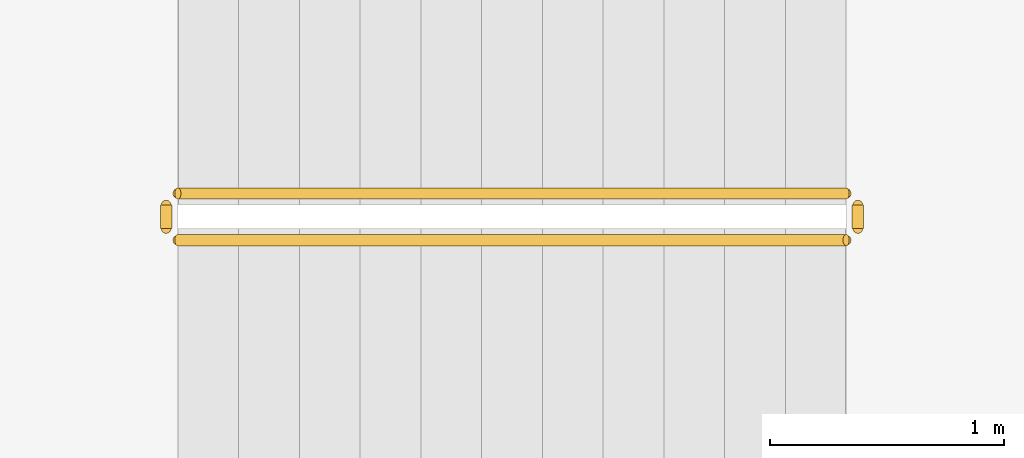
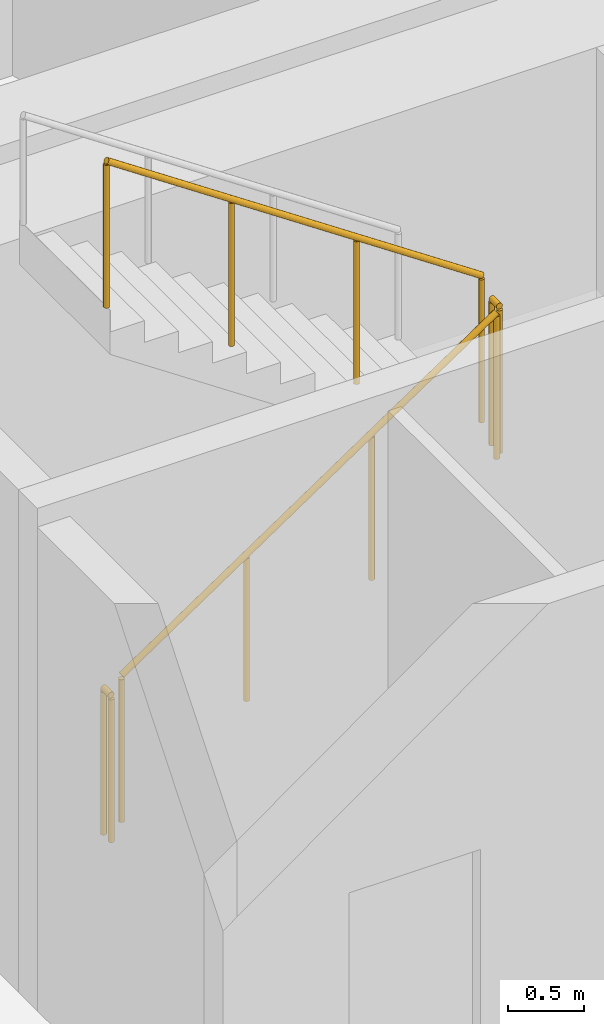
# One storey, part 22 of 26: 4 railings.
"""IFC4 building model written with IfcOpenShell, lengths in metres."""

from ifc_helpers import new_model, si_unit, direction, frame, origin, origin_2d, place, context, subcontext, project, spatial, circle, extrude, material, type_object, element, save


model = new_model("IFC4")

# Units and contexts
model_context = context("Model", 3, precision=1e-05, world=origin(), true_north=direction((0.0, 1.0)))
body_context = subcontext(model_context, "Body", "Model", "MODEL_VIEW")
ifc_project = project(units=[si_unit("LENGTHUNIT", "METRE"), si_unit("AREAUNIT", "SQUARE_METRE"), si_unit("VOLUMEUNIT", "CUBIC_METRE"), si_unit("PLANEANGLEUNIT", "RADIAN"), si_unit("MASSUNIT", "GRAM", prefix="KILO")], contexts=[model_context])

# Site, building, storey
site_placement = place(None, origin())
site = spatial("IfcSite", under=ifc_project, at=site_placement, CompositionType="ELEMENT")
building_placement = place(site_placement, origin())
building = spatial("IfcBuilding", under=site, at=building_placement, Name="Sahrelin Media Tower", CompositionType="ELEMENT")
storey_placement = place(building_placement, frame((0.0, 0.0, 88.199951171875)))
storey = spatial("IfcBuildingStorey", under=building, at=storey_placement, Name="L16", CompositionType="ELEMENT", Elevation=88.199951171875)

# Railings
ifc_material = material(Name="Steel S355", Category="steel")
railing_type = type_object("IfcRailingType", Name="Stair guard 1200", PredefinedType="GUARDRAIL", material=ifc_material)
railing_1_placement = place(storey_placement, frame((-7.675048828125, 5.25, 0.175048828125)))
element("IfcRailing", 1, at=railing_1_placement, inside=storey, type_object=railing_type, Name="L16 ST1 stair guard 1", PredefinedType="GUARDRAIL", context=body_context, shape_type="SweptSolid", body=[
    extrude(circle(Radius=0.02392578125, at=origin_2d()), frame((0.0, 0.0, 1.17578125), z_axis=(0.829590901723, 0.0, 0.558371682465), x_axis=(0.0, 1.0, 0.0)), (0.0, 0.0, 1.0), 3.447509765625),
    extrude(circle(Radius=0.02099609375, at=origin_2d()), origin(), (0.0, 0.0, 1.0), 1.15185546875),
    extrude(circle(Radius=0.02099609375, at=origin_2d()), frame((0.953369140625, 0.0, 0.6416015625)), (0.0, 0.0, 1.0), 1.15185546875),
    extrude(circle(Radius=0.02099609375, at=origin_2d()), frame((1.90673828125, 0.0, 1.283447265625)), (0.0, 0.0, 1.0), 1.15185546875),
    extrude(circle(Radius=0.02099609375, at=origin_2d()), frame((2.860107421875, 0.0, 1.925048828125)), (0.0, 0.0, 1.0), 1.15185546875),
])
railing_2_placement = place(storey_placement, frame((-4.764892578125, 5.300048828125, 2.10009765625)))
element("IfcRailing", 2, at=railing_2_placement, inside=storey, type_object=railing_type, Name="L16 ST1 stair guard 2", PredefinedType="GUARDRAIL", context=body_context, shape_type="SweptSolid", body=[
    extrude(circle(Radius=0.02392578125, at=origin_2d()), frame((0.0, 0.0, 1.17578125), z_axis=(0.0, 1.0, 0.0), x_axis=(-1.0, 0.0, 0.0)), (0.0, 0.0, 1.0), 0.099853515625),
    extrude(circle(Radius=0.02099609375, at=origin_2d()), origin(), (0.0, 0.0, 1.0), 1.15185546875),
    extrude(circle(Radius=0.02099609375, at=origin_2d()), frame((0.0, 0.099853515625, 0.0)), (0.0, 0.0, 1.0), 1.15185546875),
])
railing_3_placement = place(storey_placement, frame((-4.81494140625, 5.449951171875, 2.275146484375)))
element("IfcRailing", 3, at=railing_3_placement, inside=storey, type_object=railing_type, Name="L16 ST1 stair guard 3", PredefinedType="GUARDRAIL", context=body_context, shape_type="SweptSolid", body=[
    extrude(circle(Radius=0.02392578125, at=origin_2d()), frame((0.0, 0.0, 1.17578125), z_axis=(-0.829623704247, 0.0, 0.558322943601), x_axis=(0.0, -1.0, 0.0)), (0.0, 0.0, 1.0), 3.447509765625),
    extrude(circle(Radius=0.02099609375, at=origin_2d()), origin(), (0.0, 0.0, 1.0), 1.15185546875),
    extrude(circle(Radius=0.02099609375, at=origin_2d()), frame((-0.953369140625, 0.0, 0.6416015625)), (0.0, 0.0, 1.0), 1.15185546875),
    extrude(circle(Radius=0.02099609375, at=origin_2d()), frame((-1.90673828125, 0.0, 1.283203125)), (0.0, 0.0, 1.0), 1.15185546875),
    extrude(circle(Radius=0.02099609375, at=origin_2d()), frame((-2.860107421875, 0.0, 1.9248046875)), (0.0, 0.0, 1.0), 1.15185546875),
])
railing_4_placement = place(storey_placement, frame((-7.72509765625, 5.300048828125, 0.0)))
element("IfcRailing", 4, at=railing_4_placement, inside=storey, type_object=railing_type, Name="L16 ST1 stair guard 4", PredefinedType="GUARDRAIL", context=body_context, shape_type="SweptSolid", body=[
    extrude(circle(Radius=0.02392578125, at=origin_2d()), frame((0.0, 0.0, 1.17578125), z_axis=(0.0, 1.0, 0.0), x_axis=(-1.0, 0.0, 0.0)), (0.0, 0.0, 1.0), 0.099853515625),
    extrude(circle(Radius=0.02099609375, at=origin_2d()), origin(), (0.0, 0.0, 1.0), 1.15185546875),
    extrude(circle(Radius=0.02099609375, at=origin_2d()), frame((0.0, 0.099853515625, 0.0)), (0.0, 0.0, 1.0), 1.15185546875),
])

save(model, "model.ifc")
